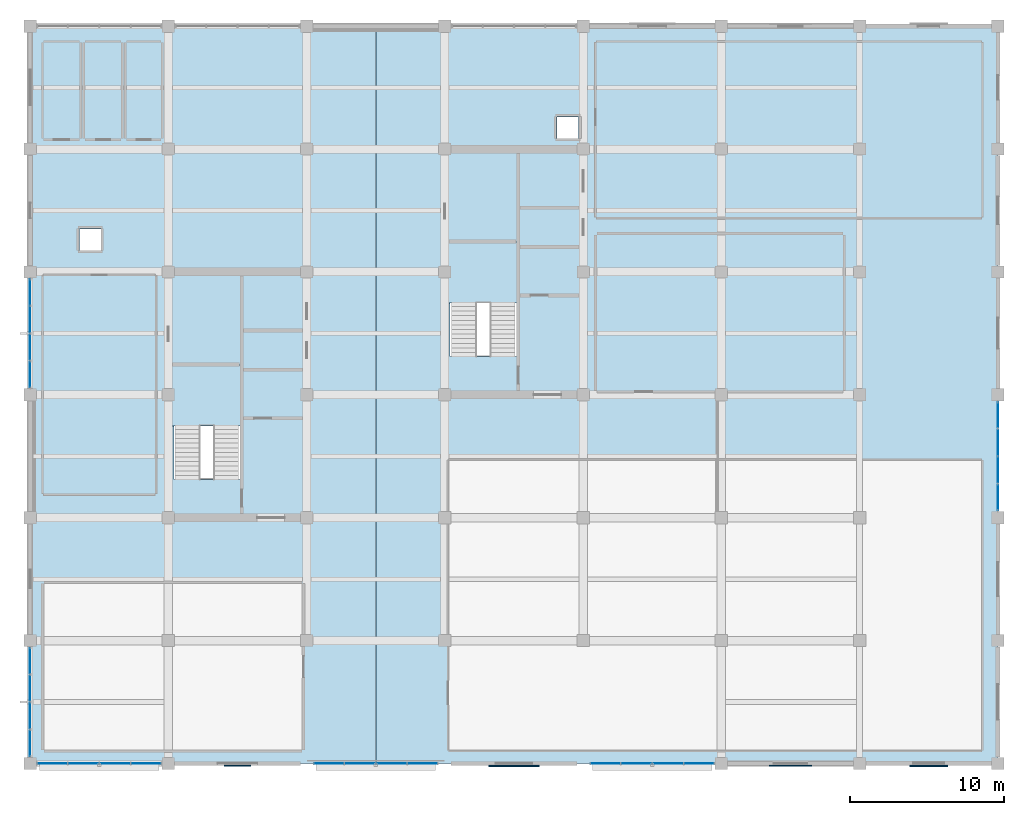
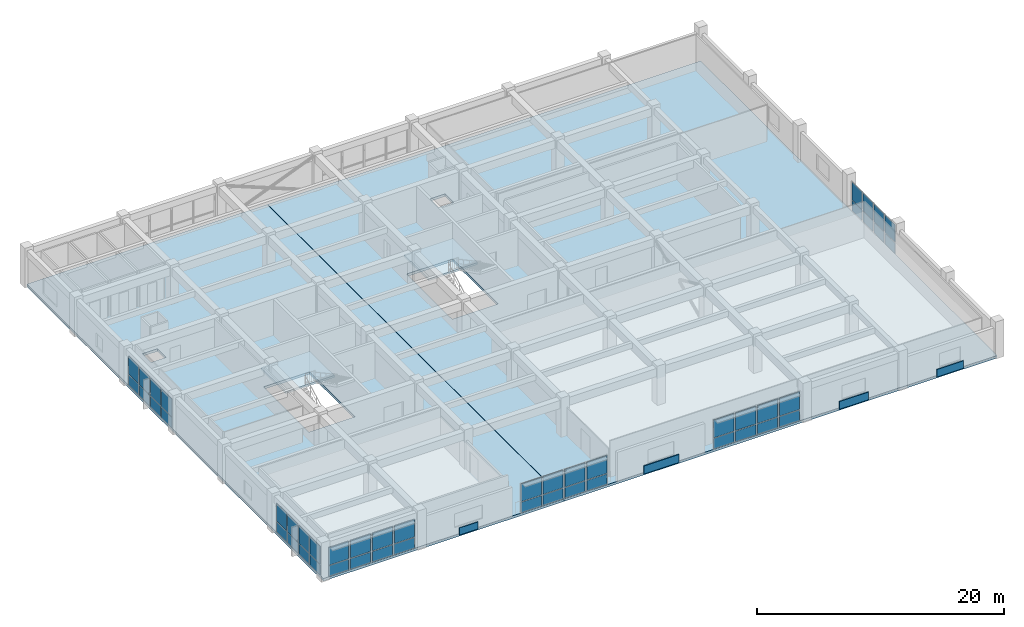
# One storey, part 11 of 16: 52 plates, 4 slabs, 8 elements without a shape of their own.
"""IFC4 building model written with IfcOpenShell, lengths in metres."""

from ifc_helpers import new_model, si_unit, direction, frame, frame_2d, origin, place, context, subcontext, project, spatial, polyline, rectangle, outline, extrude, material, layer, layer_set, type_object, element, aggregate, save


model = new_model("IFC4")

# Units and contexts
model_context = context("Model", 3, precision=1e-05, world=origin(), true_north=direction((0.0, 1.0)))
body_context = subcontext(model_context, "Body", "Model", "MODEL_VIEW")
ifc_project = project(units=[si_unit("LENGTHUNIT", "METRE"), si_unit("AREAUNIT", "SQUARE_METRE"), si_unit("VOLUMEUNIT", "CUBIC_METRE"), si_unit("PLANEANGLEUNIT", "RADIAN"), si_unit("MASSUNIT", "GRAM", prefix="KILO")], contexts=[model_context])

# Site, building, storey
site_placement = place(None, origin())
site = spatial("IfcSite", under=ifc_project, at=site_placement, CompositionType="ELEMENT")
building_placement = place(site_placement, origin())
building = spatial("IfcBuilding", under=site, at=building_placement, Name="Zaverband Oceanarium and Marine Research Institute", CompositionType="ELEMENT")
storey_placement = place(building_placement, frame((0.0, 0.0, 41.39990234375)))
storey = spatial("IfcBuildingStorey", under=building, at=storey_placement, Name="L10", CompositionType="ELEMENT", Elevation=41.39990234375)

# Curtain wall, plates
ifc_material_1 = material(Name="Thermally broken anodized aluminium and solar-control glass", Category="aluminium")
curtain_wall_type = type_object("IfcCurtainWallType", Name="CW-UNIT-1800", PredefinedType="NOTDEFINED", material=ifc_material_1)
curtain_wall_1_placement = place(storey_placement, origin())
curtain_wall_1 = element("IfcCurtainWall", 1, at=curtain_wall_1_placement, inside=storey, type_object=curtain_wall_type, Name="Unitised glazed curtain wall CW-118", PredefinedType="NOTDEFINED")
ifc_material_2 = material(Name="Low-E double-glazed solar-control glass", Category="glass")
ifc_layer_1 = layer(ifc_material_2, 0.033935546875, Name="Low-E double-glazed solar-control glass")
ifc_layer_set_1 = layer_set([ifc_layer_1], Name="Low-E double-glazed solar-control glass")
plate_type_1 = type_object("IfcPlateType", Name="CWP-1570x1043", PredefinedType="CURTAIN_PANEL", material=ifc_layer_set_1)
plate_1_placement = place(storey_placement, frame((9.0, 64.485107421875, 0.050048828125), z_axis=(0.0, 0.0, 1.0), x_axis=(0.0, 1.0, 0.0)))
plate_1 = element("IfcPlate", 2, at=plate_1_placement, type_object=plate_type_1, Name="Glazed curtain wall panel CWP-1570x1043", PredefinedType="CURTAIN_PANEL", context=body_context, shape_type="SweptSolid", body=[
    extrude(rectangle(XDim=1.637451171875, YDim=0.033935546875, at=frame_2d((0.81884765625, 0.0))), origin(), (0.0, 0.0, 1.0), 1.031982421875),
])
plate_2_placement = place(storey_placement, frame((9.0, 66.282470703125, 0.050048828125), z_axis=(0.0, 0.0, 1.0), x_axis=(0.0, 1.0, 0.0)))
plate_2 = element("IfcPlate", 3, at=plate_2_placement, type_object=plate_type_1, Name="Glazed curtain wall panel CWP-1570x1043", PredefinedType="CURTAIN_PANEL", context=body_context, shape_type="SweptSolid", body=[
    extrude(rectangle(XDim=1.637451171875, YDim=0.033935546875, at=frame_2d((0.81884765625, 0.0))), origin(), (0.0, 0.0, 1.0), 1.031982421875),
])
plate_3_placement = place(storey_placement, frame((9.0, 68.080078125, 0.050048828125), z_axis=(0.0, 0.0, 1.0), x_axis=(0.0, 1.0, 0.0)))
plate_3 = element("IfcPlate", 4, at=plate_3_placement, type_object=plate_type_1, Name="Glazed curtain wall panel CWP-1570x1043", PredefinedType="CURTAIN_PANEL", context=body_context, shape_type="SweptSolid", body=[
    extrude(rectangle(XDim=1.637451171875, YDim=0.033935546875, at=frame_2d((0.81884765625, 0.0))), origin(), (0.0, 0.0, 1.0), 1.031982421875),
])
plate_4_placement = place(storey_placement, frame((9.0, 69.87744140625, 0.050048828125), z_axis=(0.0, 0.0, 1.0), x_axis=(0.0, 1.0, 0.0)))
plate_4 = element("IfcPlate", 5, at=plate_4_placement, type_object=plate_type_1, Name="Glazed curtain wall panel CWP-1570x1043", PredefinedType="CURTAIN_PANEL", context=body_context, shape_type="SweptSolid", body=[
    extrude(rectangle(XDim=1.637451171875, YDim=0.033935546875, at=frame_2d((0.81884765625, 0.0))), origin(), (0.0, 0.0, 1.0), 1.031982421875),
])

curtain_wall_2_placement = place(storey_placement, origin())
curtain_wall_2 = element("IfcCurtainWall", 6, at=curtain_wall_2_placement, inside=storey, type_object=curtain_wall_type, Name="Unitised glazed curtain wall CW-119", PredefinedType="NOTDEFINED")
plate_5_placement = place(storey_placement, frame((9.0, 88.485107421875, 0.050048828125), z_axis=(0.0, 0.0, 1.0), x_axis=(0.0, 1.0, 0.0)))
plate_5 = element("IfcPlate", 7, at=plate_5_placement, type_object=plate_type_1, Name="Glazed curtain wall panel CWP-1570x1043", PredefinedType="CURTAIN_PANEL", context=body_context, shape_type="SweptSolid", body=[
    extrude(rectangle(XDim=1.637451171875, YDim=0.033935546875, at=frame_2d((0.81884765625, 0.0))), origin(), (0.0, 0.0, 1.0), 1.031982421875),
])
plate_6_placement = place(storey_placement, frame((9.0, 90.282470703125, 0.050048828125), z_axis=(0.0, 0.0, 1.0), x_axis=(0.0, 1.0, 0.0)))
plate_6 = element("IfcPlate", 8, at=plate_6_placement, type_object=plate_type_1, Name="Glazed curtain wall panel CWP-1570x1043", PredefinedType="CURTAIN_PANEL", context=body_context, shape_type="SweptSolid", body=[
    extrude(rectangle(XDim=1.637451171875, YDim=0.033935546875, at=frame_2d((0.81884765625, 0.0))), origin(), (0.0, 0.0, 1.0), 1.031982421875),
])
plate_7_placement = place(storey_placement, frame((9.0, 92.080078125, 0.050048828125), z_axis=(0.0, 0.0, 1.0), x_axis=(0.0, 1.0, 0.0)))
plate_7 = element("IfcPlate", 9, at=plate_7_placement, type_object=plate_type_1, Name="Glazed curtain wall panel CWP-1570x1043", PredefinedType="CURTAIN_PANEL", context=body_context, shape_type="SweptSolid", body=[
    extrude(rectangle(XDim=1.637451171875, YDim=0.033935546875, at=frame_2d((0.81884765625, 0.0))), origin(), (0.0, 0.0, 1.0), 1.031982421875),
])
plate_8_placement = place(storey_placement, frame((9.0, 93.87744140625, 0.050048828125), z_axis=(0.0, 0.0, 1.0), x_axis=(0.0, 1.0, 0.0)))
plate_8 = element("IfcPlate", 10, at=plate_8_placement, type_object=plate_type_1, Name="Glazed curtain wall panel CWP-1570x1043", PredefinedType="CURTAIN_PANEL", context=body_context, shape_type="SweptSolid", body=[
    extrude(rectangle(XDim=1.637451171875, YDim=0.033935546875, at=frame_2d((0.81884765625, 0.0))), origin(), (0.0, 0.0, 1.0), 1.031982421875),
])

curtain_wall_3_placement = place(storey_placement, origin())
curtain_wall_3 = element("IfcCurtainWall", 11, at=curtain_wall_3_placement, inside=storey, type_object=curtain_wall_type, Name="Unitised glazed curtain wall CW-120", PredefinedType="NOTDEFINED")
plate_9_placement = place(storey_placement, frame((72.0, 80.485107421875, 0.050048828125), z_axis=(0.0, 0.0, 1.0), x_axis=(0.0, 1.0, 0.0)))
plate_9 = element("IfcPlate", 12, at=plate_9_placement, type_object=plate_type_1, Name="Glazed curtain wall panel CWP-1570x1043", PredefinedType="CURTAIN_PANEL", context=body_context, shape_type="SweptSolid", body=[
    extrude(rectangle(XDim=1.637451171875, YDim=0.033935546875, at=frame_2d((0.81884765625, 0.0))), origin(), (0.0, 0.0, 1.0), 1.031982421875),
])
plate_10_placement = place(storey_placement, frame((72.0, 82.282470703125, 0.050048828125), z_axis=(0.0, 0.0, 1.0), x_axis=(0.0, 1.0, 0.0)))
plate_10 = element("IfcPlate", 13, at=plate_10_placement, type_object=plate_type_1, Name="Glazed curtain wall panel CWP-1570x1043", PredefinedType="CURTAIN_PANEL", context=body_context, shape_type="SweptSolid", body=[
    extrude(rectangle(XDim=1.637451171875, YDim=0.033935546875, at=frame_2d((0.81884765625, 0.0))), origin(), (0.0, 0.0, 1.0), 1.031982421875),
])
plate_11_placement = place(storey_placement, frame((72.0, 84.080078125, 0.050048828125), z_axis=(0.0, 0.0, 1.0), x_axis=(0.0, 1.0, 0.0)))
plate_11 = element("IfcPlate", 14, at=plate_11_placement, type_object=plate_type_1, Name="Glazed curtain wall panel CWP-1570x1043", PredefinedType="CURTAIN_PANEL", context=body_context, shape_type="SweptSolid", body=[
    extrude(rectangle(XDim=1.637451171875, YDim=0.033935546875, at=frame_2d((0.81884765625, 0.0))), origin(), (0.0, 0.0, 1.0), 1.031982421875),
])
plate_12_placement = place(storey_placement, frame((72.0, 85.87744140625, 0.050048828125), z_axis=(0.0, 0.0, 1.0), x_axis=(0.0, 1.0, 0.0)))
plate_12 = element("IfcPlate", 15, at=plate_12_placement, type_object=plate_type_1, Name="Glazed curtain wall panel CWP-1570x1043", PredefinedType="CURTAIN_PANEL", context=body_context, shape_type="SweptSolid", body=[
    extrude(rectangle(XDim=1.637451171875, YDim=0.033935546875, at=frame_2d((0.81884765625, 0.0))), origin(), (0.0, 0.0, 1.0), 1.031982421875),
])

# Plate
ifc_layer_2 = layer(ifc_material_2, 0.035888671875, Name="Low-E double-glazed solar-control glass")
ifc_layer_set_2 = layer_set([ifc_layer_2], Name="Low-E double-glazed solar-control glass")
plate_type_2 = type_object("IfcPlateType", Name="CWP-1570x1777", PredefinedType="CURTAIN_PANEL", material=ifc_layer_set_2)
plate_13_placement = place(storey_placement, frame((9.0, 64.485107421875, 1.152099609375), z_axis=(0.0, 0.0, 1.0), x_axis=(0.0, 1.0, 0.0)))
plate_13 = element("IfcPlate", 16, at=plate_13_placement, type_object=plate_type_2, Name="Glazed curtain wall panel CWP-1570x1777", PredefinedType="CURTAIN_PANEL", context=body_context, shape_type="SweptSolid", body=[
    extrude(rectangle(XDim=1.637451171875, YDim=0.035888671875, at=frame_2d((0.81884765625, 0.0))), origin(), (0.0, 0.0, 1.0), 1.758056640625),
])

plate_14_placement = place(storey_placement, frame((9.0, 66.282470703125, 1.152099609375), z_axis=(0.0, 0.0, 1.0), x_axis=(0.0, 1.0, 0.0)))
plate_14 = element("IfcPlate", 17, at=plate_14_placement, type_object=plate_type_2, Name="Glazed curtain wall panel CWP-1570x1777", PredefinedType="CURTAIN_PANEL", context=body_context, shape_type="SweptSolid", body=[
    extrude(rectangle(XDim=1.637451171875, YDim=0.035888671875, at=frame_2d((0.81884765625, 0.0))), origin(), (0.0, 0.0, 1.0), 1.758056640625),
])

plate_15_placement = place(storey_placement, frame((9.0, 68.080078125, 1.152099609375), z_axis=(0.0, 0.0, 1.0), x_axis=(0.0, 1.0, 0.0)))
plate_15 = element("IfcPlate", 18, at=plate_15_placement, type_object=plate_type_2, Name="Glazed curtain wall panel CWP-1570x1777", PredefinedType="CURTAIN_PANEL", context=body_context, shape_type="SweptSolid", body=[
    extrude(rectangle(XDim=1.637451171875, YDim=0.035888671875, at=frame_2d((0.81884765625, 0.0))), origin(), (0.0, 0.0, 1.0), 1.758056640625),
])

plate_16_placement = place(storey_placement, frame((9.0, 69.87744140625, 1.152099609375), z_axis=(0.0, 0.0, 1.0), x_axis=(0.0, 1.0, 0.0)))
plate_16 = element("IfcPlate", 19, at=plate_16_placement, type_object=plate_type_2, Name="Glazed curtain wall panel CWP-1570x1777", PredefinedType="CURTAIN_PANEL", context=body_context, shape_type="SweptSolid", body=[
    extrude(rectangle(XDim=1.637451171875, YDim=0.035888671875, at=frame_2d((0.81884765625, 0.0))), origin(), (0.0, 0.0, 1.0), 1.758056640625),
])

aggregate(curtain_wall_1, [plate_1, plate_13, plate_2, plate_14, plate_3, plate_15, plate_4, plate_16])

plate_17_placement = place(storey_placement, frame((9.0, 88.485107421875, 1.152099609375), z_axis=(0.0, 0.0, 1.0), x_axis=(0.0, 1.0, 0.0)))
plate_17 = element("IfcPlate", 20, at=plate_17_placement, type_object=plate_type_2, Name="Glazed curtain wall panel CWP-1570x1777", PredefinedType="CURTAIN_PANEL", context=body_context, shape_type="SweptSolid", body=[
    extrude(rectangle(XDim=1.637451171875, YDim=0.035888671875, at=frame_2d((0.81884765625, 0.0))), origin(), (0.0, 0.0, 1.0), 1.758056640625),
])

plate_18_placement = place(storey_placement, frame((9.0, 90.282470703125, 1.152099609375), z_axis=(0.0, 0.0, 1.0), x_axis=(0.0, 1.0, 0.0)))
plate_18 = element("IfcPlate", 21, at=plate_18_placement, type_object=plate_type_2, Name="Glazed curtain wall panel CWP-1570x1777", PredefinedType="CURTAIN_PANEL", context=body_context, shape_type="SweptSolid", body=[
    extrude(rectangle(XDim=1.637451171875, YDim=0.035888671875, at=frame_2d((0.81884765625, 0.0))), origin(), (0.0, 0.0, 1.0), 1.758056640625),
])

plate_19_placement = place(storey_placement, frame((9.0, 92.080078125, 1.152099609375), z_axis=(0.0, 0.0, 1.0), x_axis=(0.0, 1.0, 0.0)))
plate_19 = element("IfcPlate", 22, at=plate_19_placement, type_object=plate_type_2, Name="Glazed curtain wall panel CWP-1570x1777", PredefinedType="CURTAIN_PANEL", context=body_context, shape_type="SweptSolid", body=[
    extrude(rectangle(XDim=1.637451171875, YDim=0.035888671875, at=frame_2d((0.81884765625, 0.0))), origin(), (0.0, 0.0, 1.0), 1.758056640625),
])

plate_20_placement = place(storey_placement, frame((9.0, 93.87744140625, 1.152099609375), z_axis=(0.0, 0.0, 1.0), x_axis=(0.0, 1.0, 0.0)))
plate_20 = element("IfcPlate", 23, at=plate_20_placement, type_object=plate_type_2, Name="Glazed curtain wall panel CWP-1570x1777", PredefinedType="CURTAIN_PANEL", context=body_context, shape_type="SweptSolid", body=[
    extrude(rectangle(XDim=1.637451171875, YDim=0.035888671875, at=frame_2d((0.81884765625, 0.0))), origin(), (0.0, 0.0, 1.0), 1.758056640625),
])

aggregate(curtain_wall_2, [plate_5, plate_17, plate_6, plate_18, plate_7, plate_19, plate_8, plate_20])

plate_21_placement = place(storey_placement, frame((72.0, 80.485107421875, 1.152099609375), z_axis=(0.0, 0.0, 1.0), x_axis=(0.0, 1.0, 0.0)))
plate_21 = element("IfcPlate", 24, at=plate_21_placement, type_object=plate_type_2, Name="Glazed curtain wall panel CWP-1570x1777", PredefinedType="CURTAIN_PANEL", context=body_context, shape_type="SweptSolid", body=[
    extrude(rectangle(XDim=1.637451171875, YDim=0.035888671875, at=frame_2d((0.81884765625, 0.0))), origin(), (0.0, 0.0, 1.0), 1.758056640625),
])

plate_22_placement = place(storey_placement, frame((72.0, 82.282470703125, 1.152099609375), z_axis=(0.0, 0.0, 1.0), x_axis=(0.0, 1.0, 0.0)))
plate_22 = element("IfcPlate", 25, at=plate_22_placement, type_object=plate_type_2, Name="Glazed curtain wall panel CWP-1570x1777", PredefinedType="CURTAIN_PANEL", context=body_context, shape_type="SweptSolid", body=[
    extrude(rectangle(XDim=1.637451171875, YDim=0.035888671875, at=frame_2d((0.81884765625, 0.0))), origin(), (0.0, 0.0, 1.0), 1.758056640625),
])

plate_23_placement = place(storey_placement, frame((72.0, 84.080078125, 1.152099609375), z_axis=(0.0, 0.0, 1.0), x_axis=(0.0, 1.0, 0.0)))
plate_23 = element("IfcPlate", 26, at=plate_23_placement, type_object=plate_type_2, Name="Glazed curtain wall panel CWP-1570x1777", PredefinedType="CURTAIN_PANEL", context=body_context, shape_type="SweptSolid", body=[
    extrude(rectangle(XDim=1.637451171875, YDim=0.035888671875, at=frame_2d((0.81884765625, 0.0))), origin(), (0.0, 0.0, 1.0), 1.758056640625),
])

plate_24_placement = place(storey_placement, frame((72.0, 85.87744140625, 1.152099609375), z_axis=(0.0, 0.0, 1.0), x_axis=(0.0, 1.0, 0.0)))
plate_24 = element("IfcPlate", 27, at=plate_24_placement, type_object=plate_type_2, Name="Glazed curtain wall panel CWP-1570x1777", PredefinedType="CURTAIN_PANEL", context=body_context, shape_type="SweptSolid", body=[
    extrude(rectangle(XDim=1.637451171875, YDim=0.035888671875, at=frame_2d((0.81884765625, 0.0))), origin(), (0.0, 0.0, 1.0), 1.758056640625),
])

aggregate(curtain_wall_3, [plate_9, plate_21, plate_10, plate_22, plate_11, plate_23, plate_12, plate_24])

# Curtain wall, plates
curtain_wall_4_placement = place(storey_placement, origin())
curtain_wall_4 = element("IfcCurtainWall", 28, at=curtain_wall_4_placement, inside=storey, type_object=curtain_wall_type, Name="Unitised glazed curtain wall CW-112", PredefinedType="NOTDEFINED")
ifc_layer_3 = layer(ifc_material_2, 0.033935546875, Name="Low-E double-glazed solar-control glass")
ifc_layer_set_3 = layer_set([ifc_layer_3], Name="Low-E double-glazed solar-control glass")
plate_type_3 = type_object("IfcPlateType", Name="CWP-1820x1043", PredefinedType="CURTAIN_PANEL", material=ifc_layer_set_3)
plate_25_placement = place(storey_placement, frame((9.485107421875, 64.0, 0.050048828125), z_axis=(0.0, 0.0, 1.0), x_axis=(1.0, 0.0, 0.0)))
plate_25 = element("IfcPlate", 29, at=plate_25_placement, type_object=plate_type_3, Name="Glazed curtain wall panel CWP-1820x1043", PredefinedType="CURTAIN_PANEL", context=body_context, shape_type="SweptSolid", body=[
    extrude(rectangle(XDim=1.887451171875, YDim=0.033935546875, at=frame_2d((0.94384765625, 0.0))), origin(), (0.0, 0.0, 1.0), 1.031982421875),
])
plate_26_placement = place(storey_placement, frame((11.532470703125, 64.0, 0.050048828125), z_axis=(0.0, 0.0, 1.0), x_axis=(1.0, 0.0, 0.0)))
plate_26 = element("IfcPlate", 30, at=plate_26_placement, type_object=plate_type_3, Name="Glazed curtain wall panel CWP-1820x1043", PredefinedType="CURTAIN_PANEL", context=body_context, shape_type="SweptSolid", body=[
    extrude(rectangle(XDim=1.887451171875, YDim=0.033935546875, at=frame_2d((0.94384765625, 0.0))), origin(), (0.0, 0.0, 1.0), 1.031982421875),
])
plate_27_placement = place(storey_placement, frame((13.580078125, 64.0, 0.050048828125), z_axis=(0.0, 0.0, 1.0), x_axis=(1.0, 0.0, 0.0)))
plate_27 = element("IfcPlate", 31, at=plate_27_placement, type_object=plate_type_3, Name="Glazed curtain wall panel CWP-1820x1043", PredefinedType="CURTAIN_PANEL", context=body_context, shape_type="SweptSolid", body=[
    extrude(rectangle(XDim=1.887451171875, YDim=0.033935546875, at=frame_2d((0.94384765625, 0.0))), origin(), (0.0, 0.0, 1.0), 1.031982421875),
])
plate_28_placement = place(storey_placement, frame((15.62744140625, 64.0, 0.050048828125), z_axis=(0.0, 0.0, 1.0), x_axis=(1.0, 0.0, 0.0)))
plate_28 = element("IfcPlate", 32, at=plate_28_placement, type_object=plate_type_3, Name="Glazed curtain wall panel CWP-1820x1043", PredefinedType="CURTAIN_PANEL", context=body_context, shape_type="SweptSolid", body=[
    extrude(rectangle(XDim=1.887451171875, YDim=0.033935546875, at=frame_2d((0.94384765625, 0.0))), origin(), (0.0, 0.0, 1.0), 1.031982421875),
])

curtain_wall_5_placement = place(storey_placement, origin())
curtain_wall_5 = element("IfcCurtainWall", 33, at=curtain_wall_5_placement, inside=storey, type_object=curtain_wall_type, Name="Unitised glazed curtain wall CW-113", PredefinedType="NOTDEFINED")
plate_29_placement = place(storey_placement, frame((27.485107421875, 64.0, 0.050048828125), z_axis=(0.0, 0.0, 1.0), x_axis=(1.0, 0.0, 0.0)))
plate_29 = element("IfcPlate", 34, at=plate_29_placement, type_object=plate_type_3, Name="Glazed curtain wall panel CWP-1820x1043", PredefinedType="CURTAIN_PANEL", context=body_context, shape_type="SweptSolid", body=[
    extrude(rectangle(XDim=1.887451171875, YDim=0.033935546875, at=frame_2d((0.94384765625, 0.0))), origin(), (0.0, 0.0, 1.0), 1.031982421875),
])
plate_30_placement = place(storey_placement, frame((29.532470703125, 64.0, 0.050048828125), z_axis=(0.0, 0.0, 1.0), x_axis=(1.0, 0.0, 0.0)))
plate_30 = element("IfcPlate", 35, at=plate_30_placement, type_object=plate_type_3, Name="Glazed curtain wall panel CWP-1820x1043", PredefinedType="CURTAIN_PANEL", context=body_context, shape_type="SweptSolid", body=[
    extrude(rectangle(XDim=1.887451171875, YDim=0.033935546875, at=frame_2d((0.94384765625, 0.0))), origin(), (0.0, 0.0, 1.0), 1.031982421875),
])
plate_31_placement = place(storey_placement, frame((31.580078125, 64.0, 0.050048828125), z_axis=(0.0, 0.0, 1.0), x_axis=(1.0, 0.0, 0.0)))
plate_31 = element("IfcPlate", 36, at=plate_31_placement, type_object=plate_type_3, Name="Glazed curtain wall panel CWP-1820x1043", PredefinedType="CURTAIN_PANEL", context=body_context, shape_type="SweptSolid", body=[
    extrude(rectangle(XDim=1.887451171875, YDim=0.033935546875, at=frame_2d((0.94384765625, 0.0))), origin(), (0.0, 0.0, 1.0), 1.031982421875),
])
plate_32_placement = place(storey_placement, frame((33.62744140625, 64.0, 0.050048828125), z_axis=(0.0, 0.0, 1.0), x_axis=(1.0, 0.0, 0.0)))
plate_32 = element("IfcPlate", 37, at=plate_32_placement, type_object=plate_type_3, Name="Glazed curtain wall panel CWP-1820x1043", PredefinedType="CURTAIN_PANEL", context=body_context, shape_type="SweptSolid", body=[
    extrude(rectangle(XDim=1.887451171875, YDim=0.033935546875, at=frame_2d((0.94384765625, 0.0))), origin(), (0.0, 0.0, 1.0), 1.031982421875),
])

curtain_wall_6_placement = place(storey_placement, origin())
curtain_wall_6 = element("IfcCurtainWall", 38, at=curtain_wall_6_placement, inside=storey, type_object=curtain_wall_type, Name="Unitised glazed curtain wall CW-114", PredefinedType="NOTDEFINED")
plate_33_placement = place(storey_placement, frame((45.485107421875, 64.0, 0.050048828125), z_axis=(0.0, 0.0, 1.0), x_axis=(1.0, 0.0, 0.0)))
plate_33 = element("IfcPlate", 39, at=plate_33_placement, type_object=plate_type_3, Name="Glazed curtain wall panel CWP-1820x1043", PredefinedType="CURTAIN_PANEL", context=body_context, shape_type="SweptSolid", body=[
    extrude(rectangle(XDim=1.887451171875, YDim=0.033935546875, at=frame_2d((0.94384765625, 0.0))), origin(), (0.0, 0.0, 1.0), 1.031982421875),
])
plate_34_placement = place(storey_placement, frame((47.532470703125, 64.0, 0.050048828125), z_axis=(0.0, 0.0, 1.0), x_axis=(1.0, 0.0, 0.0)))
plate_34 = element("IfcPlate", 40, at=plate_34_placement, type_object=plate_type_3, Name="Glazed curtain wall panel CWP-1820x1043", PredefinedType="CURTAIN_PANEL", context=body_context, shape_type="SweptSolid", body=[
    extrude(rectangle(XDim=1.887451171875, YDim=0.033935546875, at=frame_2d((0.94384765625, 0.0))), origin(), (0.0, 0.0, 1.0), 1.031982421875),
])
plate_35_placement = place(storey_placement, frame((49.580078125, 64.0, 0.050048828125), z_axis=(0.0, 0.0, 1.0), x_axis=(1.0, 0.0, 0.0)))
plate_35 = element("IfcPlate", 41, at=plate_35_placement, type_object=plate_type_3, Name="Glazed curtain wall panel CWP-1820x1043", PredefinedType="CURTAIN_PANEL", context=body_context, shape_type="SweptSolid", body=[
    extrude(rectangle(XDim=1.887451171875, YDim=0.033935546875, at=frame_2d((0.94384765625, 0.0))), origin(), (0.0, 0.0, 1.0), 1.031982421875),
])
plate_36_placement = place(storey_placement, frame((51.62744140625, 64.0, 0.050048828125), z_axis=(0.0, 0.0, 1.0), x_axis=(1.0, 0.0, 0.0)))
plate_36 = element("IfcPlate", 42, at=plate_36_placement, type_object=plate_type_3, Name="Glazed curtain wall panel CWP-1820x1043", PredefinedType="CURTAIN_PANEL", context=body_context, shape_type="SweptSolid", body=[
    extrude(rectangle(XDim=1.887451171875, YDim=0.033935546875, at=frame_2d((0.94384765625, 0.0))), origin(), (0.0, 0.0, 1.0), 1.031982421875),
])

# Plate
ifc_layer_4 = layer(ifc_material_2, 0.035888671875, Name="Low-E double-glazed solar-control glass")
ifc_layer_set_4 = layer_set([ifc_layer_4], Name="Low-E double-glazed solar-control glass")
plate_type_4 = type_object("IfcPlateType", Name="CWP-1820x1777", PredefinedType="CURTAIN_PANEL", material=ifc_layer_set_4)
plate_37_placement = place(storey_placement, frame((9.485107421875, 64.0, 1.152099609375), z_axis=(0.0, 0.0, 1.0), x_axis=(1.0, 0.0, 0.0)))
plate_37 = element("IfcPlate", 43, at=plate_37_placement, type_object=plate_type_4, Name="Glazed curtain wall panel CWP-1820x1777", PredefinedType="CURTAIN_PANEL", context=body_context, shape_type="SweptSolid", body=[
    extrude(rectangle(XDim=1.887451171875, YDim=0.035888671875, at=frame_2d((0.94384765625, 0.0))), origin(), (0.0, 0.0, 1.0), 1.758056640625),
])

plate_38_placement = place(storey_placement, frame((11.532470703125, 64.0, 1.152099609375), z_axis=(0.0, 0.0, 1.0), x_axis=(1.0, 0.0, 0.0)))
plate_38 = element("IfcPlate", 44, at=plate_38_placement, type_object=plate_type_4, Name="Glazed curtain wall panel CWP-1820x1777", PredefinedType="CURTAIN_PANEL", context=body_context, shape_type="SweptSolid", body=[
    extrude(rectangle(XDim=1.887451171875, YDim=0.035888671875, at=frame_2d((0.94384765625, 0.0))), origin(), (0.0, 0.0, 1.0), 1.758056640625),
])

plate_39_placement = place(storey_placement, frame((13.580078125, 64.0, 1.152099609375), z_axis=(0.0, 0.0, 1.0), x_axis=(1.0, 0.0, 0.0)))
plate_39 = element("IfcPlate", 45, at=plate_39_placement, type_object=plate_type_4, Name="Glazed curtain wall panel CWP-1820x1777", PredefinedType="CURTAIN_PANEL", context=body_context, shape_type="SweptSolid", body=[
    extrude(rectangle(XDim=1.887451171875, YDim=0.035888671875, at=frame_2d((0.94384765625, 0.0))), origin(), (0.0, 0.0, 1.0), 1.758056640625),
])

plate_40_placement = place(storey_placement, frame((15.62744140625, 64.0, 1.152099609375), z_axis=(0.0, 0.0, 1.0), x_axis=(1.0, 0.0, 0.0)))
plate_40 = element("IfcPlate", 46, at=plate_40_placement, type_object=plate_type_4, Name="Glazed curtain wall panel CWP-1820x1777", PredefinedType="CURTAIN_PANEL", context=body_context, shape_type="SweptSolid", body=[
    extrude(rectangle(XDim=1.887451171875, YDim=0.035888671875, at=frame_2d((0.94384765625, 0.0))), origin(), (0.0, 0.0, 1.0), 1.758056640625),
])

aggregate(curtain_wall_4, [plate_25, plate_37, plate_26, plate_38, plate_27, plate_39, plate_28, plate_40])

plate_41_placement = place(storey_placement, frame((27.485107421875, 64.0, 1.152099609375), z_axis=(0.0, 0.0, 1.0), x_axis=(1.0, 0.0, 0.0)))
plate_41 = element("IfcPlate", 47, at=plate_41_placement, type_object=plate_type_4, Name="Glazed curtain wall panel CWP-1820x1777", PredefinedType="CURTAIN_PANEL", context=body_context, shape_type="SweptSolid", body=[
    extrude(rectangle(XDim=1.887451171875, YDim=0.035888671875, at=frame_2d((0.94384765625, 0.0))), origin(), (0.0, 0.0, 1.0), 1.758056640625),
])

plate_42_placement = place(storey_placement, frame((29.532470703125, 64.0, 1.152099609375), z_axis=(0.0, 0.0, 1.0), x_axis=(1.0, 0.0, 0.0)))
plate_42 = element("IfcPlate", 48, at=plate_42_placement, type_object=plate_type_4, Name="Glazed curtain wall panel CWP-1820x1777", PredefinedType="CURTAIN_PANEL", context=body_context, shape_type="SweptSolid", body=[
    extrude(rectangle(XDim=1.887451171875, YDim=0.035888671875, at=frame_2d((0.94384765625, 0.0))), origin(), (0.0, 0.0, 1.0), 1.758056640625),
])

plate_43_placement = place(storey_placement, frame((31.580078125, 64.0, 1.152099609375), z_axis=(0.0, 0.0, 1.0), x_axis=(1.0, 0.0, 0.0)))
plate_43 = element("IfcPlate", 49, at=plate_43_placement, type_object=plate_type_4, Name="Glazed curtain wall panel CWP-1820x1777", PredefinedType="CURTAIN_PANEL", context=body_context, shape_type="SweptSolid", body=[
    extrude(rectangle(XDim=1.887451171875, YDim=0.035888671875, at=frame_2d((0.94384765625, 0.0))), origin(), (0.0, 0.0, 1.0), 1.758056640625),
])

plate_44_placement = place(storey_placement, frame((33.62744140625, 64.0, 1.152099609375), z_axis=(0.0, 0.0, 1.0), x_axis=(1.0, 0.0, 0.0)))
plate_44 = element("IfcPlate", 50, at=plate_44_placement, type_object=plate_type_4, Name="Glazed curtain wall panel CWP-1820x1777", PredefinedType="CURTAIN_PANEL", context=body_context, shape_type="SweptSolid", body=[
    extrude(rectangle(XDim=1.887451171875, YDim=0.035888671875, at=frame_2d((0.94384765625, 0.0))), origin(), (0.0, 0.0, 1.0), 1.758056640625),
])

aggregate(curtain_wall_5, [plate_29, plate_41, plate_30, plate_42, plate_31, plate_43, plate_32, plate_44])

plate_45_placement = place(storey_placement, frame((45.485107421875, 64.0, 1.152099609375), z_axis=(0.0, 0.0, 1.0), x_axis=(1.0, 0.0, 0.0)))
plate_45 = element("IfcPlate", 51, at=plate_45_placement, type_object=plate_type_4, Name="Glazed curtain wall panel CWP-1820x1777", PredefinedType="CURTAIN_PANEL", context=body_context, shape_type="SweptSolid", body=[
    extrude(rectangle(XDim=1.887451171875, YDim=0.035888671875, at=frame_2d((0.94384765625, 0.0))), origin(), (0.0, 0.0, 1.0), 1.758056640625),
])

plate_46_placement = place(storey_placement, frame((47.532470703125, 64.0, 1.152099609375), z_axis=(0.0, 0.0, 1.0), x_axis=(1.0, 0.0, 0.0)))
plate_46 = element("IfcPlate", 52, at=plate_46_placement, type_object=plate_type_4, Name="Glazed curtain wall panel CWP-1820x1777", PredefinedType="CURTAIN_PANEL", context=body_context, shape_type="SweptSolid", body=[
    extrude(rectangle(XDim=1.887451171875, YDim=0.035888671875, at=frame_2d((0.94384765625, 0.0))), origin(), (0.0, 0.0, 1.0), 1.758056640625),
])

plate_47_placement = place(storey_placement, frame((49.580078125, 64.0, 1.152099609375), z_axis=(0.0, 0.0, 1.0), x_axis=(1.0, 0.0, 0.0)))
plate_47 = element("IfcPlate", 53, at=plate_47_placement, type_object=plate_type_4, Name="Glazed curtain wall panel CWP-1820x1777", PredefinedType="CURTAIN_PANEL", context=body_context, shape_type="SweptSolid", body=[
    extrude(rectangle(XDim=1.887451171875, YDim=0.035888671875, at=frame_2d((0.94384765625, 0.0))), origin(), (0.0, 0.0, 1.0), 1.758056640625),
])

plate_48_placement = place(storey_placement, frame((51.62744140625, 64.0, 1.152099609375), z_axis=(0.0, 0.0, 1.0), x_axis=(1.0, 0.0, 0.0)))
plate_48 = element("IfcPlate", 54, at=plate_48_placement, type_object=plate_type_4, Name="Glazed curtain wall panel CWP-1820x1777", PredefinedType="CURTAIN_PANEL", context=body_context, shape_type="SweptSolid", body=[
    extrude(rectangle(XDim=1.887451171875, YDim=0.035888671875, at=frame_2d((0.94384765625, 0.0))), origin(), (0.0, 0.0, 1.0), 1.758056640625),
])

aggregate(curtain_wall_6, [plate_33, plate_45, plate_34, plate_46, plate_35, plate_47, plate_36, plate_48])

# Plates
ifc_material_3 = material(Name="Concrete C40/50 precast ochre", Category="concrete")
ifc_layer_5 = layer(ifc_material_3, 0.070068359375, Name="Concrete C40/50 precast ochre")
ifc_layer_set_5 = layer_set([ifc_layer_5], Name="Concrete C40/50 precast ochre")
plate_type_5 = type_object("IfcPlateType", Name="FRP-1750x700", PredefinedType="USERDEFINED", material=ifc_layer_set_5)
plate_49_placement = place(storey_placement, frame((21.625, 63.847412109375, 0.0), z_axis=(0.0, 0.0, 1.0), x_axis=(1.0, 0.0, 0.0)))
element("IfcPlate", 55, at=plate_49_placement, inside=storey, type_object=plate_type_5, Name="Geometric precast facade cladding panel FRP-1750x700", ObjectType="FLANGE_PLATE", PredefinedType="USERDEFINED", context=body_context, shape_type="SweptSolid", body=[
    extrude(rectangle(XDim=1.75, YDim=0.070068359375, at=frame_2d((0.875, 0.0))), origin(), (0.0, 0.0, 1.0), 0.7001953125),
])
ifc_layer_6 = layer(ifc_material_3, 0.074951171875, Name="Concrete C40/50 precast ochre")
ifc_layer_set_6 = layer_set([ifc_layer_6], Name="Concrete C40/50 precast ochre")
plate_type_6 = type_object("IfcPlateType", Name="FRP-2500x750", PredefinedType="USERDEFINED", material=ifc_layer_set_6)
plate_50_placement = place(storey_placement, frame((66.25, 63.83251953125, 0.0), z_axis=(0.0, 0.0, 1.0), x_axis=(1.0, 0.0, 0.0)))
element("IfcPlate", 56, at=plate_50_placement, inside=storey, type_object=plate_type_6, Name="Geometric precast facade cladding panel FRP-2500x750", ObjectType="FLANGE_PLATE", PredefinedType="USERDEFINED", context=body_context, shape_type="SweptSolid", body=[
    extrude(rectangle(XDim=2.5, YDim=0.074951171875, at=frame_2d((1.25, 0.0))), origin(), (0.0, 0.0, 1.0), 0.75),
])
ifc_layer_7 = layer(ifc_material_3, 0.080078125, Name="Concrete C40/50 precast ochre")
ifc_layer_set_7 = layer_set([ifc_layer_7], Name="Concrete C40/50 precast ochre")
plate_type_7 = type_object("IfcPlateType", Name="FRP-2750x760", PredefinedType="USERDEFINED", material=ifc_layer_set_7)
plate_51_placement = place(storey_placement, frame((57.125, 63.842529296875, 0.0), z_axis=(0.0, 0.0, 1.0), x_axis=(1.0, 0.0, 0.0)))
element("IfcPlate", 57, at=plate_51_placement, inside=storey, type_object=plate_type_7, Name="Geometric precast facade cladding panel FRP-2750x760", ObjectType="FLANGE_PLATE", PredefinedType="USERDEFINED", context=body_context, shape_type="SweptSolid", body=[
    extrude(rectangle(XDim=2.75, YDim=0.080078125, at=frame_2d((1.375, 0.0))), origin(), (0.0, 0.0, 1.0), 0.760009765625),
])
ifc_layer_8 = layer(ifc_material_3, 0.0849609375, Name="Concrete C40/50 precast ochre")
ifc_layer_set_8 = layer_set([ifc_layer_8], Name="Concrete C40/50 precast ochre")
plate_type_8 = type_object("IfcPlateType", Name="FRP-3300x800", PredefinedType="USERDEFINED", material=ifc_layer_set_8)
plate_52_placement = place(storey_placement, frame((38.85009765625, 63.840087890625, 0.0), z_axis=(0.0, 0.0, 1.0), x_axis=(1.0, 0.0, 0.0)))
element("IfcPlate", 58, at=plate_52_placement, inside=storey, type_object=plate_type_8, Name="Geometric precast facade cladding panel FRP-3300x800", ObjectType="FLANGE_PLATE", PredefinedType="USERDEFINED", context=body_context, shape_type="SweptSolid", body=[
    extrude(rectangle(XDim=3.2998046875, YDim=0.0849609375, at=frame_2d((1.64990234375, 0.0))), origin(), (0.0, 0.0, 1.0), 0.800048828125),
])

# Slabs
ifc_material_4 = material(Name="Concrete C40/50", Category="concrete")
ifc_layer_9 = layer(ifc_material_4, 0.25, Name="Concrete C40/50")
ifc_layer_set_9 = layer_set([ifc_layer_9], Name="Concrete C40/50")
slab_type_1 = type_object("IfcSlabType", Name="SLB-LAB-250", PredefinedType="FLOOR", material=ifc_layer_set_9)
slab_1_placement = place(storey_placement, frame((0.0, 0.0, -0.25)))
element("IfcSlab", 59, at=slab_1_placement, inside=storey, type_object=slab_type_1, Name="Suspended floor slab SLB-LAB-250", PredefinedType="FLOOR", context=body_context, shape_type="SweptSolid", body=[
    extrude(outline(polyline([(9.0, 112.0), (31.485107421875, 112.0), (31.485107421875, 64.0), (9.0, 64.0), (9.0, 112.0)]), holes=[polyline([(18.35009765625, 89.85009765625), (18.35009765625, 82.5), (22.64990234375, 82.5), (22.64990234375, 89.85009765625), (18.35009765625, 89.85009765625)]), polyline([(12.199951171875, 98.800048828125), (12.199951171875, 97.39990234375), (13.60009765625, 97.39990234375), (13.60009765625, 98.800048828125), (12.199951171875, 98.800048828125)])]), origin(), (0.0, 0.0, 1.0), 0.25),
])
slab_2_placement = place(storey_placement, frame((0.0, 0.0, -0.25)))
element("IfcSlab", 60, at=slab_2_placement, inside=storey, type_object=slab_type_1, Name="Suspended floor slab SLB-LAB-250", PredefinedType="FLOOR", context=body_context, shape_type="SweptSolid", body=[
    extrude(outline(polyline([(31.514892578125, 112.0), (72.0, 112.0), (72.0, 64.0), (31.514892578125, 64.0), (31.514892578125, 112.0)]), holes=[polyline([(36.35009765625, 97.85009765625), (36.35009765625, 90.5), (40.64990234375, 90.5), (40.64990234375, 97.85009765625), (36.35009765625, 97.85009765625)]), polyline([(43.300048828125, 106.10009765625), (43.300048828125, 104.699951171875), (44.699951171875, 104.699951171875), (44.699951171875, 106.10009765625), (43.300048828125, 106.10009765625)])]), origin(), (0.0, 0.0, 1.0), 0.25),
])

# Stair, slab
stair_type = type_object("IfcStairType", Name="STR-TWR-1650-3900", PredefinedType="HALF_TURN_STAIR", material=ifc_material_4)
stair_1_placement = place(storey_placement, origin())
stair_1 = element("IfcStair", 61, at=stair_1_placement, inside=storey, type_object=stair_type, Name="Exit Stair ST-01 (L10)", PredefinedType="HALF_TURN_STAIR")
ifc_layer_10 = layer(ifc_material_4, 0.199951171875, Name="Concrete C40/50")
ifc_layer_set_10 = layer_set([ifc_layer_10], Name="Concrete C40/50")
slab_type_2 = type_object("IfcSlabType", Name="SLB-LND-200", PredefinedType="LANDING", material=ifc_layer_set_10)
slab_3_placement = place(storey_placement, frame((0.0, 0.0, 1.75)))
slab_3 = element("IfcSlab", 62, at=slab_3_placement, type_object=slab_type_2, Name="Stair / ramp landing slab SLB-LND-200", PredefinedType="LANDING", context=body_context, shape_type="SweptSolid", body=[
    extrude(outline(polyline([(18.139892578125, 85.969970703125), (22.735107421875, 85.969970703125), (22.735107421875, 89.93505859375), (18.139892578125, 89.93505859375), (18.139892578125, 85.969970703125)])), origin(), (0.0, 0.0, 1.0), 0.2001953125),
])
aggregate(stair_1, [slab_3])

stair_2_placement = place(storey_placement, origin())
stair_2 = element("IfcStair", 63, at=stair_2_placement, inside=storey, type_object=stair_type, Name="Exit Stair ST-02 (L10)", PredefinedType="HALF_TURN_STAIR")
slab_4_placement = place(storey_placement, frame((0.0, 0.0, 1.75)))
slab_4 = element("IfcSlab", 64, at=slab_4_placement, type_object=slab_type_2, Name="Stair / ramp landing slab SLB-LND-200", PredefinedType="LANDING", context=body_context, shape_type="SweptSolid", body=[
    extrude(outline(polyline([(36.139892578125, 93.969970703125), (40.735107421875, 93.969970703125), (40.735107421875, 97.93505859375), (36.139892578125, 97.93505859375), (36.139892578125, 93.969970703125)])), origin(), (0.0, 0.0, 1.0), 0.2001953125),
])
aggregate(stair_2, [slab_4])

save(model, "model.ifc")
